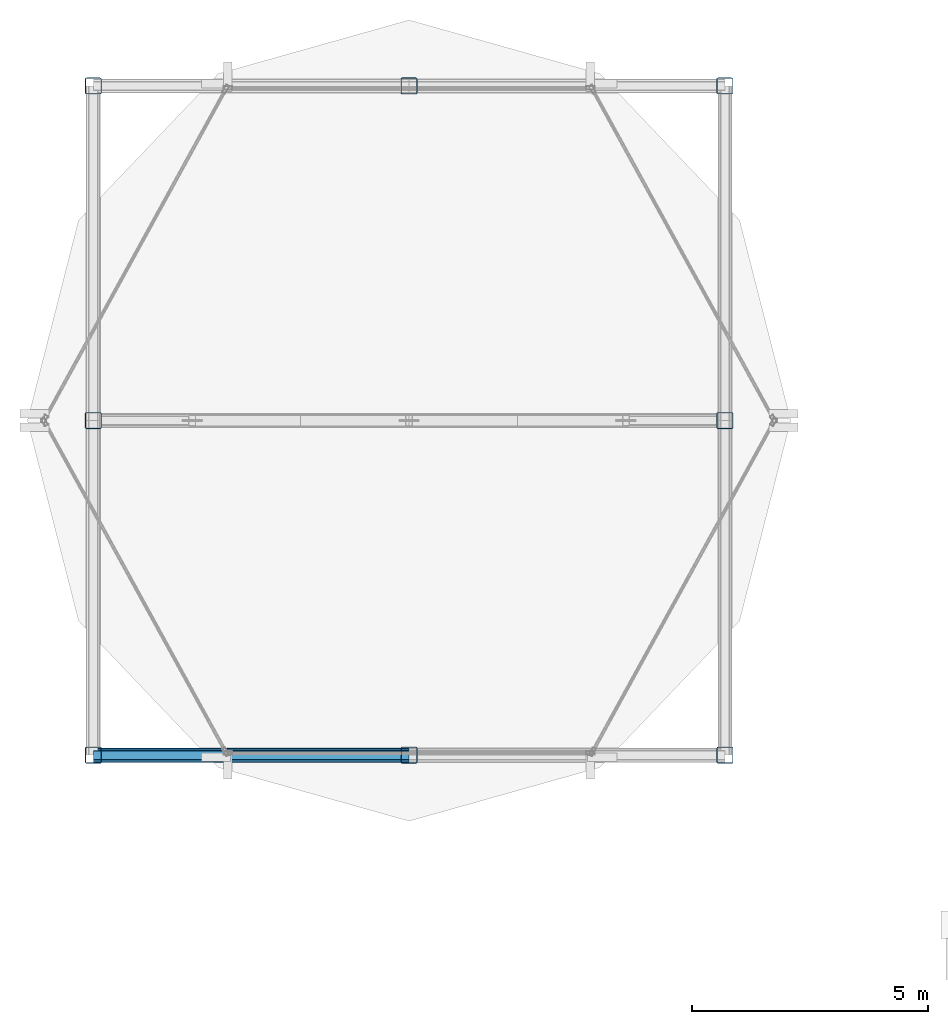
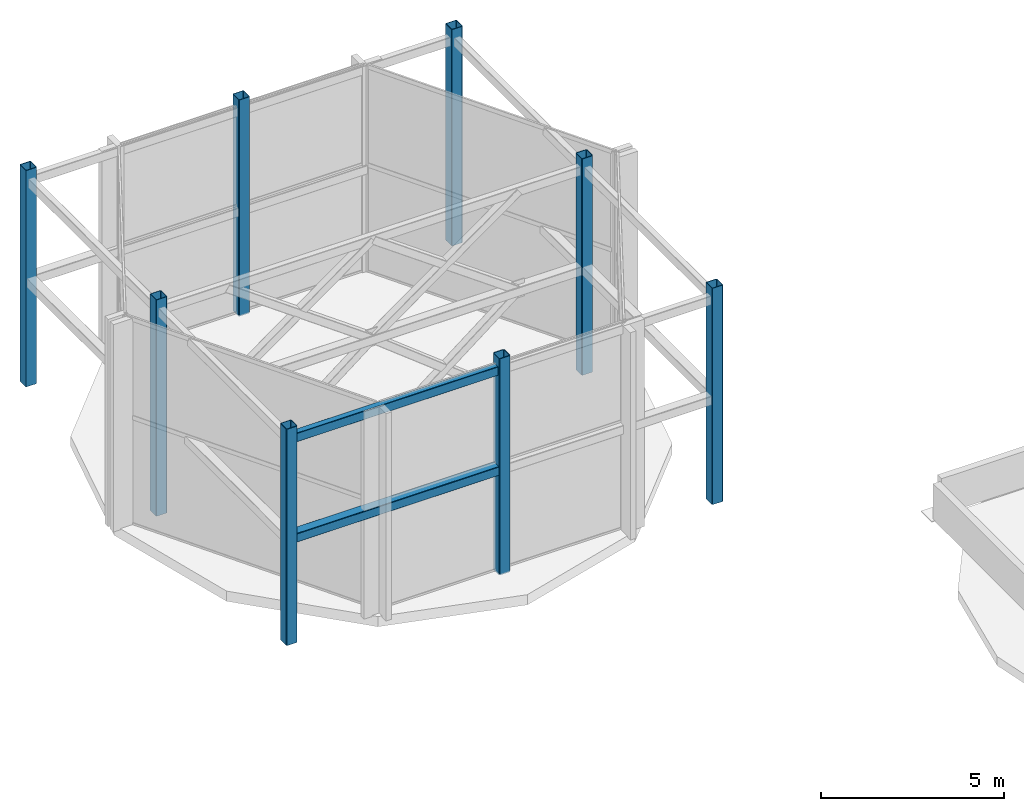
# One storey, part 1 of 8: 8 columns, 2 beams.
"""IFC4 building model written with IfcOpenShell, lengths in metres."""

import ifcopenshell
import ifcopenshell.guid

model = None  # the IFC model being written
_history = None  # IfcOwnerHistory: only IFC2X3 demands one
_inside = {}  # id of a spatial element -> (the spatial element, [elements in it])
_under = {}  # id of a project, library or spatial element -> (it, [spatial elements below it])
_declared = {}  # id of a project -> (the project, [libraries it declares])
_typed = {}  # id of a type object -> (the type object, [elements of that type])
_made_of = {}  # id of a material, layer set ... -> (it, [elements and type objects made of it])


def new_model(schema):
    """Start an empty IFC model of exactly this schema.

    Asked for "IFC4X3", IfcOpenShell would pick the latest addendum, in which some entities
    have other attributes; the version numbers below select the first issue.
    IFC2X3 requires an IfcOwnerHistory on every rooted entity: one is made here for all.
    """
    global model, _history
    if schema == "IFC4X3":
        model = ifcopenshell.file(schema_version=(4, 3, 0, 0))
    else:
        model = ifcopenshell.file(schema=schema)
    _inside.clear()
    _under.clear()
    _declared.clear()
    _typed.clear()
    _made_of.clear()
    _history = None
    if model.schema == "IFC2X3":
        org = make("IfcOrganization", Name="unknown")
        user = make(
            "IfcPersonAndOrganization",
            ThePerson=make("IfcPerson", FamilyName="unknown"),
            TheOrganization=org,
        )
        app = make(
            "IfcApplication",
            ApplicationDeveloper=org,
            Version="unknown",
            ApplicationFullName="unknown",
            ApplicationIdentifier="unknown",
        )
        _history = make(
            "IfcOwnerHistory",
            OwningUser=user,
            OwningApplication=app,
            ChangeAction="ADDED",
            CreationDate=0,
        )
    return model


def make(cls, **values):
    """One entity of the class cls with the attributes given. An attribute that is None is left unset."""
    return model.create_entity(
        cls, **{name: value for name, value in values.items() if value is not None}
    )


def rooted(cls, **values):
    """An entity with a GlobalId (a new one), such as an element, a storey or a relation."""
    return make(cls, GlobalId=ifcopenshell.guid.new(), OwnerHistory=_history, **values)


def si_unit(unit_type, name, prefix=None):
    """IfcSIUnit, for example si_unit("LENGTHUNIT", "METRE", prefix="MILLI")."""
    return make("IfcSIUnit", UnitType=unit_type, Prefix=prefix, Name=name)


def assignment(units):
    """IfcUnitAssignment: the units of a project."""
    return None if units is None else make("IfcUnitAssignment", Units=units)


def point(xyz):
    """IfcCartesianPoint."""
    return None if xyz is None else make("IfcCartesianPoint", Coordinates=xyz)


def direction(xyz):
    """IfcDirection."""
    return None if xyz is None else make("IfcDirection", DirectionRatios=xyz)


def frame(location, z_axis=None, x_axis=None):
    """IfcAxis2Placement3D, a coordinate frame: its origin and axes. An axis left out is left unset."""
    return make(
        "IfcAxis2Placement3D",
        Location=point(location),
        Axis=direction(z_axis),
        RefDirection=direction(x_axis),
    )


def frame_2d(location, x_axis=None):
    """IfcAxis2Placement2D, a coordinate frame in the plane: its origin and x axis."""
    return make(
        "IfcAxis2Placement2D", Location=point(location), RefDirection=direction(x_axis)
    )


def origin():
    """The frame at (0, 0, 0) with its axes left unset."""
    return frame((0.0, 0.0, 0.0))


def origin_2d():
    """The frame at (0, 0) in the plane with its x axis left unset."""
    return frame_2d((0.0, 0.0))


def place(relative_to, where):
    """IfcLocalPlacement: puts the frame where relative to a parent placement (None: the world)."""
    return make(
        "IfcLocalPlacement", PlacementRelTo=relative_to, RelativePlacement=where
    )


def context(
    kind, dimensions, precision=None, world=None, true_north=None, identifier=None
):
    """IfcGeometricRepresentationContext, for example the 3D "Model" context."""
    return make(
        "IfcGeometricRepresentationContext",
        ContextIdentifier=identifier,
        ContextType=kind,
        CoordinateSpaceDimension=dimensions,
        Precision=precision,
        WorldCoordinateSystem=world,
        TrueNorth=true_north,
    )


def subcontext(parent, identifier, kind, view, scale=None):
    """IfcGeometricRepresentationSubContext, for example "Body" below "Model"."""
    return make(
        "IfcGeometricRepresentationSubContext",
        ContextIdentifier=identifier,
        ContextType=kind,
        ParentContext=parent,
        TargetScale=scale,
        TargetView=view,
    )


def project(units=None, contexts=None):
    """IfcProject with its units and contexts."""
    return rooted(
        "IfcProject",
        Name="project",
        RepresentationContexts=contexts,
        UnitsInContext=assignment(units),
    )


def spatial(cls, under=None, at=None, **own):
    """A site, building, storey or space (cls), placed at a placement, below another one or the project."""
    s = rooted(cls, ObjectPlacement=at, **own)
    if under is not None:
        _under.setdefault(under.id(), (under, []))[1].append(s)
    return s


def profile(cls, at=None, kind="AREA", **sizes):
    """A parametric profile (cls). Its sizes go by their IFC names, for example OverallWidth=200.0."""
    return make(cls, ProfileType=kind, Position=at, **sizes)


def hollow_rectangle(**sizes):
    """IfcRectangleHollowProfileDef."""
    return profile("IfcRectangleHollowProfileDef", **sizes)


def extrude(swept, where, along, depth):
    """IfcExtrudedAreaSolid: the profile swept, set in the frame where, extruded along a direction by depth."""
    return make(
        "IfcExtrudedAreaSolid",
        SweptArea=swept,
        Position=where,
        ExtrudedDirection=direction(along),
        Depth=depth,
    )


def shape(context_of_items, identifier, shape_type, items):
    """IfcShapeRepresentation: the items that make up one representation, for example the "Body"."""
    return make(
        "IfcShapeRepresentation",
        ContextOfItems=context_of_items,
        RepresentationIdentifier=identifier,
        RepresentationType=shape_type,
        Items=items,
    )


def material(Name=None, Category=None):
    """IfcMaterial."""
    return make("IfcMaterial", Name=Name, Category=Category)


def material_profile(
    of_material, cross_section, Name=None, Category=None, Priority=None
):
    """IfcMaterialProfile: a cross section and its material."""
    return make(
        "IfcMaterialProfile",
        Name=Name,
        Material=of_material,
        Profile=cross_section,
        Priority=Priority,
        Category=Category,
    )


def profile_set(profiles, Name=None, composite=None):
    """IfcMaterialProfileSet."""
    return make(
        "IfcMaterialProfileSet",
        Name=Name,
        MaterialProfiles=profiles,
        CompositeProfile=composite,
    )


def made_of(thing, what):
    """Note that an element or type object is made of a material, layer set ...; save() writes the relation."""
    if what is not None:
        _made_of.setdefault(what.id(), (what, []))[1].append(thing)
    return thing


def type_object(cls, material=None, **own):
    """A type object (cls), such as IfcWallType, which elements share."""
    return made_of(rooted(cls, **own), material)


def element(
    cls,
    number,
    at=None,
    inside=None,
    cuts=None,
    type_object=None,
    material=None,
    context=None,
    identifier="Body",
    shape_type=None,
    held_by="IfcProductDefinitionShape",
    body=None,
    shapes=None,
    **own,
):
    """One element of the class cls, such as IfcWall. Its Tag is "e" and its number.

    at: its placement. inside: the storey or other place that contains it. cuts: it is an
    opening in that element (IfcRelVoidsElement). A single representation is given by context,
    identifier, shape_type and body (its items); several are given by shapes. held_by: the class
    of the entity that holds the representations. save() writes the other relations.
    """
    e = rooted(cls, Tag="e%d" % number, ObjectPlacement=at, **own)
    if body is not None:
        shapes = [shape(context, identifier, shape_type, body)]
    if shapes is not None:
        e.Representation = make(held_by, Representations=shapes)
    if inside is not None:
        _inside.setdefault(inside.id(), (inside, []))[1].append(e)
    if cuts is not None:
        rooted(
            "IfcRelVoidsElement", RelatingBuildingElement=cuts, RelatedOpeningElement=e
        )
    if type_object is not None:
        _typed.setdefault(type_object.id(), (type_object, []))[1].append(e)
    return made_of(e, material)


def aggregate(whole, parts):
    """IfcRelAggregates: a whole, such as a stair, and the parts it consists of."""
    return rooted("IfcRelAggregates", RelatingObject=whole, RelatedObjects=parts)


def save(model, path):
    """Write the relations noted so far, then the file.

    IfcRelAggregates (storeys below a building ...), IfcRelContainedInSpatialStructure (elements
    in a storey), IfcRelDefinesByType, IfcRelAssociatesMaterial and IfcRelDeclares: one each for
    every whole, place, type object, material and project.
    """
    for whole, parts in _under.values():
        aggregate(whole, parts)
    for where, things in _inside.values():
        rooted(
            "IfcRelContainedInSpatialStructure",
            RelatedElements=things,
            RelatingStructure=where,
        )
    for kind, things in _typed.values():
        rooted("IfcRelDefinesByType", RelatedObjects=things, RelatingType=kind)
    for what, things in _made_of.values():
        rooted("IfcRelAssociatesMaterial", RelatedObjects=things, RelatingMaterial=what)
    for by, libraries in _declared.values():
        rooted("IfcRelDeclares", RelatingContext=by, RelatedDefinitions=libraries)
    model.write(path)


model = new_model("IFC4")

# Units and contexts
model_context = context("Model", 3, precision=1e-05, world=origin(), true_north=direction((0.0, 1.0)))
body_context = subcontext(model_context, "Body", "Model", "MODEL_VIEW")
ifc_project = project(units=[si_unit("LENGTHUNIT", "METRE"), si_unit("AREAUNIT", "SQUARE_METRE"), si_unit("VOLUMEUNIT", "CUBIC_METRE"), si_unit("PLANEANGLEUNIT", "RADIAN"), si_unit("MASSUNIT", "GRAM", prefix="KILO")], contexts=[model_context])

# Site, building, storey
site_placement = place(None, origin())
site = spatial("IfcSite", under=ifc_project, at=site_placement, CompositionType="ELEMENT")
building_placement = place(site_placement, origin())
building = spatial("IfcBuilding", under=site, at=building_placement, Name="Solvaryn Broadcast Tower", CompositionType="ELEMENT")
storey_placement = place(building_placement, frame((0.0, 0.0, 322.199951171875)))
storey = spatial("IfcBuildingStorey", under=building, at=storey_placement, Name="Roof East", CompositionType="ELEMENT", Elevation=322.199951171875)

# Columns
ifc_material_1 = material(Name="Steel ASTM A500 Grade C", Category="steel")
ifc_material_profile_1 = material_profile(ifc_material_1, hollow_rectangle(XDim=0.35009765625, YDim=0.35009765625, WallThickness=0.01611328125, InnerFilletRadius=0.01611328125, OuterFilletRadius=0.031982421875, at=origin_2d()))
ifc_profile_set_1 = profile_set([ifc_material_profile_1], Name="Steel ASTM A500 Grade C")
column_type = type_object("IfcColumnType", Name="COL-CROWN-FRAME", PredefinedType="COLUMN", material=ifc_profile_set_1)
for number, where, z_axis, x_axis, name in (
    (1, (11.199951171875, 28.199951171875, 0.0), (0.0, 0.0, 1.0), (1.0, 0.0, 0.0), "Roof East CROWN FRAME Column (11.2, 28.2)"),
    (2, (17.89990234375, 28.199951171875, 0.0), (0.0, 0.0, 1.0), (1.0, 0.0, 0.0), "Roof East CROWN FRAME Column (17.9, 28.2)"),
    (3, (24.60009765625, 28.199951171875, 0.0), (0.0, 0.0, 1.0), (1.0, 0.0, 0.0), "Roof East CROWN FRAME Column (24.6, 28.2)"),
    (4, (24.60009765625, 35.300048828125, 0.0), (0.0, 0.0, 1.0), (1.0, 0.0, 0.0), "Roof East CROWN FRAME Column (24.6, 35.3)"),
    (5, (24.60009765625, 42.39990234375, 0.0), (0.0, 0.0, 1.0), (1.0, 0.0, 0.0), "Roof East CROWN FRAME Column (24.6, 42.4)"),
    (6, (17.89990234375, 42.39990234375, 0.0), (0.0, 0.0, 1.0), (1.0, 0.0, 0.0), "Roof East CROWN FRAME Column (17.9, 42.4)"),
    (7, (11.199951171875, 42.39990234375, 0.0), (0.0, 0.0, 1.0), (1.0, 0.0, 0.0), "Roof East CROWN FRAME Column (11.2, 42.4)"),
    (8, (11.199951171875, 35.300048828125, 0.0), (0.0, 0.0, 1.0), (1.0, 0.0, 0.0), "Roof East CROWN FRAME Column (11.2, 35.3)"),
):
    element("IfcColumn", number, at=place(storey_placement, frame(where, z_axis=z_axis, x_axis=x_axis)), inside=storey, type_object=column_type, Name=name, PredefinedType="COLUMN", context=body_context, shape_type="SweptSolid", body=[
        extrude(hollow_rectangle(XDim=0.35009765625, YDim=0.35009765625, WallThickness=0.01611328125, InnerFilletRadius=0.01611328125, OuterFilletRadius=0.031982421875, at=origin_2d()), origin(), (0.0, 0.0, 1.0), 7.199951171875),
    ])

# Beams
ifc_material_2 = material(Name="Steel ASTM A500 Grade C", Category="steel")
ifc_material_profile_2 = material_profile(ifc_material_2, hollow_rectangle(XDim=0.199951171875, YDim=0.300048828125, WallThickness=0.011962890625, InnerFilletRadius=0.011962890625, OuterFilletRadius=0.02392578125, at=origin_2d()))
ifc_profile_set_2 = profile_set([ifc_material_profile_2], Name="Steel ASTM A500 Grade C")
beam_type_1 = type_object("IfcBeamType", Name="BM-CROWN-CAP", PredefinedType="BEAM", material=ifc_profile_set_2)
beam_1_placement = place(storey_placement, frame((11.199951171875, 28.199951171875, 6.75), z_axis=(1.0, 0.0, 0.0), x_axis=(0.0, 1.0, 0.0)))
element("IfcBeam", 9, at=beam_1_placement, inside=storey, type_object=beam_type_1, Name="Roof East CROWN FRAME Ring Beam WT2-1", PredefinedType="BEAM", context=body_context, shape_type="SweptSolid", body=[
    extrude(hollow_rectangle(XDim=0.199951171875, YDim=0.300048828125, WallThickness=0.011962890625, InnerFilletRadius=0.011962890625, OuterFilletRadius=0.02392578125, at=origin_2d()), origin(), (0.0, 0.0, 1.0), 6.699951171875),
])
ifc_material_3 = material(Name="Steel ASTM A500 Grade C", Category="steel")
ifc_material_profile_3 = material_profile(ifc_material_3, hollow_rectangle(XDim=0.300048828125, YDim=0.300048828125, WallThickness=0.01416015625, InnerFilletRadius=0.01416015625, OuterFilletRadius=0.0283203125, at=origin_2d()))
ifc_profile_set_3 = profile_set([ifc_material_profile_3], Name="Steel ASTM A500 Grade C")
beam_type_2 = type_object("IfcBeamType", Name="BM-CROWN-RING", PredefinedType="BEAM", material=ifc_profile_set_3)
beam_2_placement = place(storey_placement, frame((11.199951171875, 28.199951171875, 3.449951171875), z_axis=(1.0, 0.0, 0.0), x_axis=(0.0, 1.0, 0.0)))
element("IfcBeam", 10, at=beam_2_placement, inside=storey, type_object=beam_type_2, Name="Roof East CROWN FRAME Ring Beam WT1-1", PredefinedType="BEAM", context=body_context, shape_type="SweptSolid", body=[
    extrude(hollow_rectangle(XDim=0.300048828125, YDim=0.300048828125, WallThickness=0.01416015625, InnerFilletRadius=0.01416015625, OuterFilletRadius=0.0283203125, at=origin_2d()), origin(), (0.0, 0.0, 1.0), 6.699951171875),
])

save(model, "model.ifc")
